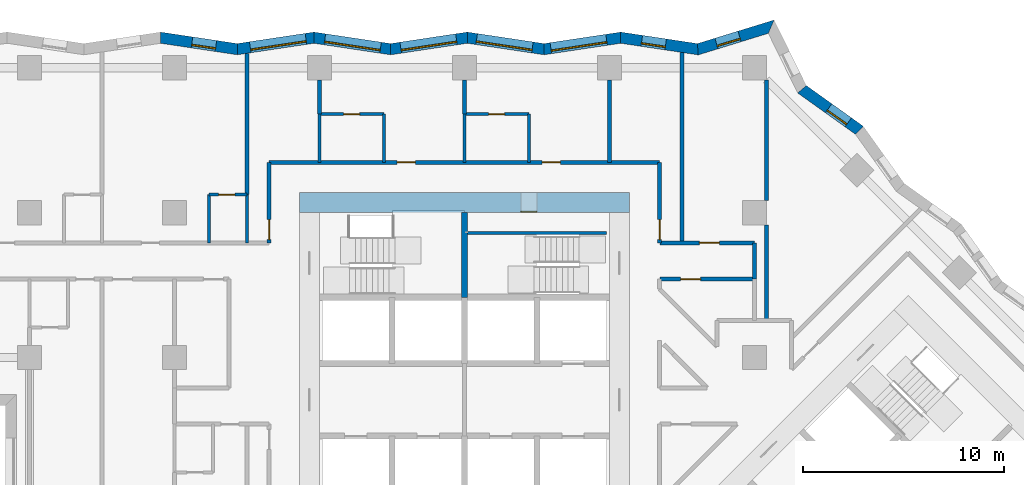
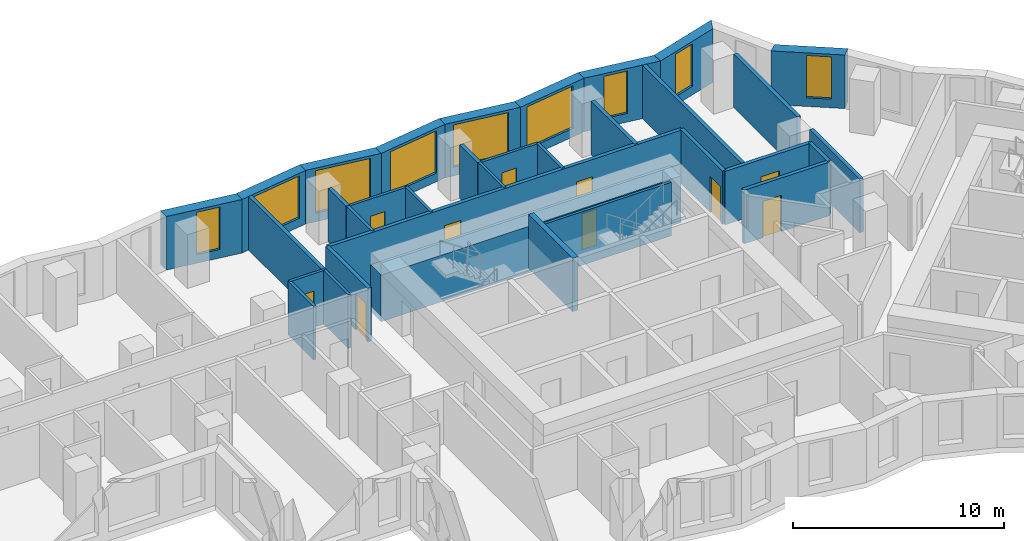
# One storey, part 6 of 12: 34 walls, 10 doors, 9 windows, 19 openings.
"""IFC4 building model written with IfcOpenShell, lengths in metres."""

from ifc_helpers import new_model, si_unit, direction, frame, frame_2d, origin, place, context, subcontext, project, spatial, polyline, rectangle, outline, extrude, material, layer, layer_set, type_object, element, fill, save


model = new_model("IFC4")

# Units and contexts
model_context = context("Model", 3, precision=1e-05, world=origin(), true_north=direction((0.0, 1.0)))
body_context = subcontext(model_context, "Body", "Model", "MODEL_VIEW")
ifc_project = project(units=[si_unit("LENGTHUNIT", "METRE"), si_unit("AREAUNIT", "SQUARE_METRE"), si_unit("VOLUMEUNIT", "CUBIC_METRE"), si_unit("PLANEANGLEUNIT", "RADIAN"), si_unit("MASSUNIT", "GRAM", prefix="KILO")], contexts=[model_context])

# Site, building, storey
site_placement = place(None, origin())
site = spatial("IfcSite", under=ifc_project, at=site_placement, CompositionType="ELEMENT")
building_placement = place(site_placement, origin())
building = spatial("IfcBuilding", under=site, at=building_placement, Name="Windrow Commons", CompositionType="ELEMENT")
storey_placement = place(building_placement, frame((0.0, 0.0, 57.6)))
storey = spatial("IfcBuildingStorey", under=building, at=storey_placement, Name="L15", CompositionType="ELEMENT", Elevation=57.6)

# Wall, opening, window
ifc_material_1 = material(Name="Brick masonry, red clay brick", Category="masonry")
ifc_layer_1 = layer(ifc_material_1, 0.55)
ifc_layer_set_1 = layer_set([ifc_layer_1], Name="Brick facade wall 550")
wall_type_1 = type_object("IfcWallType", Name="Brick facade wall 550", PredefinedType="SOLIDWALL", material=ifc_layer_set_1)
wall_1_placement = place(storey_placement, frame((84.421, 68.8908, 0.0), z_axis=(0.0, 0.0, 1.0), x_axis=(-0.8136140083, 0.5814054054, 0.0)))
wall_1 = element("IfcWall", 1, at=wall_1_placement, inside=storey, type_object=wall_type_1, Name="Brick facade wall L15 21", PredefinedType="SOLIDWALL", context=body_context, shape_type="SweptSolid", body=[
    extrude(outline(polyline([(-0.0458, -0.275), (3.4379, -0.275), (3.5765, 0.275), (0.0458, 0.275), (-0.0458, -0.275)])), origin(), (0.0, 0.0, 1.0), 3.1),
])
opening_1_placement = place(wall_1_placement, frame((0.6838, 0.0, 0.5)))
opening_1 = element("IfcOpeningElement", 2, at=opening_1_placement, cuts=wall_1, Name="Opening W7D", PredefinedType="OPENING", context=body_context, shape_type="SweptSolid", body=[
    extrude(rectangle(XDim=1.2, YDim=2.45, at=frame_2d((0.6, 1.225))), frame((0.0, 0.285, 0.0), z_axis=(0.0, -1.0, 0.0), x_axis=(1.0, 0.0, 0.0)), (0.0, 0.0, 1.0), 0.57),
])
ifc_material_2 = material(Name="Clear float glass in anodised aluminium frame", Category="aluminium")
window_type_1 = type_object("IfcWindowType", Name="Window W7 notch 1200x2450", PartitioningType="SINGLE_PANEL", PredefinedType="WINDOW", material=ifc_material_2)
window_1_placement = place(opening_1_placement, origin())
window_1 = element("IfcWindow", 3, at=window_1_placement, inside=storey, type_object=window_type_1, Name="Window L15 21.1", OverallHeight=2.45, OverallWidth=1.2, PartitioningType="SINGLE_PANEL", PredefinedType="WINDOW", context=body_context, shape_type="SweptSolid", body=[
    extrude(rectangle(XDim=1.2, YDim=2.45, at=frame_2d((0.6, 1.225))), frame((0.0, 0.155, 0.0), z_axis=(0.0, -1.0, 0.0), x_axis=(1.0, 0.0, 0.0)), (0.0, 0.0, 1.0), 0.06),
])
fill(opening_1, window_1)

wall_2_placement = place(storey_placement, frame((80.0392, 74.0402, 0.0), z_axis=(0.0, 0.0, 1.0), x_axis=(-0.9557960147, -0.2940305738, 0.0)))
wall_2 = element("IfcWall", 4, at=wall_2_placement, inside=storey, type_object=wall_type_1, Name="Brick facade wall L15 23", PredefinedType="SOLIDWALL", context=body_context, shape_type="SweptSolid", body=[
    extrude(outline(polyline([(-0.2346, -0.275), (3.7513, -0.275), (3.8764, 0.275), (0.2346, 0.275), (-0.2346, -0.275)])), origin(), (0.0, 0.0, 1.0), 3.1),
])
opening_2_placement = place(wall_2_placement, frame((1.6459, 0.0, 0.5)))
opening_2 = element("IfcOpeningElement", 5, at=opening_2_placement, cuts=wall_2, Name="Opening W7D", PredefinedType="OPENING", context=body_context, shape_type="SweptSolid", body=[
    extrude(rectangle(XDim=1.2, YDim=2.45, at=frame_2d((0.6, 1.225))), frame((0.0, 0.285, 0.0), z_axis=(0.0, -1.0, 0.0), x_axis=(1.0, 0.0, 0.0)), (0.0, 0.0, 1.0), 0.57),
])
window_2_placement = place(opening_2_placement, origin())
window_2 = element("IfcWindow", 6, at=window_2_placement, inside=storey, type_object=window_type_1, Name="Window L15 23.1", OverallHeight=2.45, OverallWidth=1.2, PartitioningType="SINGLE_PANEL", PredefinedType="WINDOW", context=body_context, shape_type="SweptSolid", body=[
    extrude(rectangle(XDim=1.2, YDim=2.45, at=frame_2d((0.6, 1.225))), frame((0.0, 0.155, 0.0), z_axis=(0.0, -1.0, 0.0), x_axis=(1.0, 0.0, 0.0)), (0.0, 0.0, 1.0), 0.06),
])
fill(opening_2, window_2)

wall_3_placement = place(storey_placement, frame((76.3939, 72.9188, 0.0), z_axis=(0.0, 0.0, 1.0), x_axis=(-0.9889175987, 0.1484654269, 0.0)))
wall_3 = element("IfcWall", 7, at=wall_3_placement, inside=storey, type_object=wall_type_1, Name="Brick facade wall L15 24", PredefinedType="SOLIDWALL", context=body_context, shape_type="SweptSolid", body=[
    extrude(outline(polyline([(0.0626, -0.275), (3.9149, -0.275), (3.8324, 0.275), (-0.0626, 0.275), (0.0626, -0.275)])), origin(), (0.0, 0.0, 1.0), 3.1),
])
opening_3_placement = place(wall_3_placement, frame((1.6176, 0.0, 0.5)))
opening_3 = element("IfcOpeningElement", 8, at=opening_3_placement, cuts=wall_3, Name="Opening W7D", PredefinedType="OPENING", context=body_context, shape_type="SweptSolid", body=[
    extrude(rectangle(XDim=1.2, YDim=2.45, at=frame_2d((0.6, 1.225))), frame((0.0, 0.285, 0.0), z_axis=(0.0, -1.0, 0.0), x_axis=(1.0, 0.0, 0.0)), (0.0, 0.0, 1.0), 0.57),
])
window_3_placement = place(opening_3_placement, origin())
window_3 = element("IfcWindow", 9, at=window_3_placement, inside=storey, type_object=window_type_1, Name="Window L15 24.1", OverallHeight=2.45, OverallWidth=1.2, PartitioningType="SINGLE_PANEL", PredefinedType="WINDOW", context=body_context, shape_type="SweptSolid", body=[
    extrude(rectangle(XDim=1.2, YDim=2.45, at=frame_2d((0.6, 1.225))), frame((0.0, 0.155, 0.0), z_axis=(0.0, -1.0, 0.0), x_axis=(1.0, 0.0, 0.0)), (0.0, 0.0, 1.0), 0.06),
])
fill(opening_3, window_3)

wall_4_placement = place(storey_placement, frame((72.5632, 73.4939, 0.0), z_axis=(0.0, 0.0, 1.0), x_axis=(-0.9889150173, -0.1484826202, 0.0)))
wall_4 = element("IfcWall", 10, at=wall_4_placement, inside=storey, type_object=wall_type_1, Name="Brick facade wall L15 25", PredefinedType="SOLIDWALL", context=body_context, shape_type="SweptSolid", body=[
    extrude(outline(polyline([(-0.0413, -0.275), (3.8111, -0.275), (3.8937, 0.275), (0.0413, 0.275), (-0.0413, -0.275)])), origin(), (0.0, 0.0, 1.0), 3.1),
])
opening_4_placement = place(wall_4_placement, frame((0.711, 0.0, 0.5)))
opening_4 = element("IfcOpeningElement", 11, at=opening_4_placement, cuts=wall_4, Name="Opening W1T", PredefinedType="OPENING", context=body_context, shape_type="SweptSolid", body=[
    extrude(rectangle(XDim=2.8, YDim=2.45, at=frame_2d((1.4, 1.225))), frame((0.0, 0.285, 0.0), z_axis=(0.0, -1.0, 0.0), x_axis=(1.0, 0.0, 0.0)), (0.0, 0.0, 1.0), 0.57),
])
ifc_material_3 = material(Name="Clear float glass in anodised aluminium frame", Category="aluminium")
window_type_2 = type_object("IfcWindowType", Name="Window W1T bedroom 2800x2450", PartitioningType="SINGLE_PANEL", PredefinedType="WINDOW", material=ifc_material_3)
window_4_placement = place(opening_4_placement, origin())
window_4 = element("IfcWindow", 12, at=window_4_placement, inside=storey, type_object=window_type_2, Name="Window L15 25.1", OverallHeight=2.45, OverallWidth=2.8, PartitioningType="SINGLE_PANEL", PredefinedType="WINDOW", context=body_context, shape_type="SweptSolid", body=[
    extrude(rectangle(XDim=2.8, YDim=2.45, at=frame_2d((1.4, 1.225))), frame((0.0, 0.155, 0.0), z_axis=(0.0, -1.0, 0.0), x_axis=(1.0, 0.0, 0.0)), (0.0, 0.0, 1.0), 0.06),
])
fill(opening_4, window_4)

wall_5_placement = place(storey_placement, frame((68.7536, 72.9219, 0.0), z_axis=(0.0, 0.0, 1.0), x_axis=(-0.9889155896, 0.1484788086, 0.0)))
wall_5 = element("IfcWall", 13, at=wall_5_placement, inside=storey, type_object=wall_type_1, Name="Brick facade wall L15 26", PredefinedType="SOLIDWALL", context=body_context, shape_type="SweptSolid", body=[
    extrude(outline(polyline([(0.0413, -0.275), (3.8937, -0.275), (3.8111, 0.275), (-0.0413, 0.275), (0.0413, -0.275)])), origin(), (0.0, 0.0, 1.0), 3.1),
])
opening_5_placement = place(wall_5_placement, frame((0.5843, 0.0, 0.5)))
opening_5 = element("IfcOpeningElement", 14, at=opening_5_placement, cuts=wall_5, Name="Opening W1T", PredefinedType="OPENING", context=body_context, shape_type="SweptSolid", body=[
    extrude(rectangle(XDim=2.8, YDim=2.45, at=frame_2d((1.4, 1.225))), frame((0.0, 0.285, 0.0), z_axis=(0.0, -1.0, 0.0), x_axis=(1.0, 0.0, 0.0)), (0.0, 0.0, 1.0), 0.57),
])
window_5_placement = place(opening_5_placement, origin())
window_5 = element("IfcWindow", 15, at=window_5_placement, inside=storey, type_object=window_type_2, Name="Window L15 26.1", OverallHeight=2.45, OverallWidth=2.8, PartitioningType="SINGLE_PANEL", PredefinedType="WINDOW", context=body_context, shape_type="SweptSolid", body=[
    extrude(rectangle(XDim=2.8, YDim=2.45, at=frame_2d((1.4, 1.225))), frame((0.0, 0.155, 0.0), z_axis=(0.0, -1.0, 0.0), x_axis=(1.0, 0.0, 0.0)), (0.0, 0.0, 1.0), 0.06),
])
fill(opening_5, window_5)

wall_6_placement = place(storey_placement, frame((64.9439, 73.4939, 0.0), z_axis=(0.0, 0.0, 1.0), x_axis=(-0.9889150173, -0.1484826202, 0.0)))
wall_6 = element("IfcWall", 16, at=wall_6_placement, inside=storey, type_object=wall_type_1, Name="Brick facade wall L15 27", PredefinedType="SOLIDWALL", context=body_context, shape_type="SweptSolid", body=[
    extrude(outline(polyline([(-0.0413, -0.275), (3.8111, -0.275), (3.8937, 0.275), (0.0413, 0.275), (-0.0413, -0.275)])), origin(), (0.0, 0.0, 1.0), 3.1),
])
opening_6_placement = place(wall_6_placement, frame((0.5468, 0.0, 0.5)))
opening_6 = element("IfcOpeningElement", 17, at=opening_6_placement, cuts=wall_6, Name="Opening W1T", PredefinedType="OPENING", context=body_context, shape_type="SweptSolid", body=[
    extrude(rectangle(XDim=2.8, YDim=2.45, at=frame_2d((1.4, 1.225))), frame((0.0, 0.285, 0.0), z_axis=(0.0, -1.0, 0.0), x_axis=(1.0, 0.0, 0.0)), (0.0, 0.0, 1.0), 0.57),
])
window_6_placement = place(opening_6_placement, origin())
window_6 = element("IfcWindow", 18, at=window_6_placement, inside=storey, type_object=window_type_2, Name="Window L15 27.1", OverallHeight=2.45, OverallWidth=2.8, PartitioningType="SINGLE_PANEL", PredefinedType="WINDOW", context=body_context, shape_type="SweptSolid", body=[
    extrude(rectangle(XDim=2.8, YDim=2.45, at=frame_2d((1.4, 1.225))), frame((0.0, 0.155, 0.0), z_axis=(0.0, -1.0, 0.0), x_axis=(1.0, 0.0, 0.0)), (0.0, 0.0, 1.0), 0.06),
])
fill(opening_6, window_6)

wall_7_placement = place(storey_placement, frame((61.1343, 72.9219, 0.0), z_axis=(0.0, 0.0, 1.0), x_axis=(-0.9889155896, 0.1484788086, 0.0)))
wall_7 = element("IfcWall", 19, at=wall_7_placement, inside=storey, type_object=wall_type_1, Name="Brick facade wall L15 28", PredefinedType="SOLIDWALL", context=body_context, shape_type="SweptSolid", body=[
    extrude(outline(polyline([(0.0413, -0.275), (3.8937, -0.275), (3.8111, 0.275), (-0.0413, 0.275), (0.0413, -0.275)])), origin(), (0.0, 0.0, 1.0), 3.1),
])
opening_7_placement = place(wall_7_placement, frame((0.5055, 0.0, 0.5)))
opening_7 = element("IfcOpeningElement", 20, at=opening_7_placement, cuts=wall_7, Name="Opening W1T", PredefinedType="OPENING", context=body_context, shape_type="SweptSolid", body=[
    extrude(rectangle(XDim=2.8, YDim=2.45, at=frame_2d((1.4, 1.225))), frame((0.0, 0.285, 0.0), z_axis=(0.0, -1.0, 0.0), x_axis=(1.0, 0.0, 0.0)), (0.0, 0.0, 1.0), 0.57),
])
window_7_placement = place(opening_7_placement, origin())
window_7 = element("IfcWindow", 21, at=window_7_placement, inside=storey, type_object=window_type_2, Name="Window L15 28.1", OverallHeight=2.45, OverallWidth=2.8, PartitioningType="SINGLE_PANEL", PredefinedType="WINDOW", context=body_context, shape_type="SweptSolid", body=[
    extrude(rectangle(XDim=2.8, YDim=2.45, at=frame_2d((1.4, 1.225))), frame((0.0, 0.155, 0.0), z_axis=(0.0, -1.0, 0.0), x_axis=(1.0, 0.0, 0.0)), (0.0, 0.0, 1.0), 0.06),
])
fill(opening_7, window_7)

wall_8_placement = place(storey_placement, frame((57.3246, 73.4939, 0.0), z_axis=(0.0, 0.0, 1.0), x_axis=(-0.9889155896, -0.1484788086, 0.0)))
wall_8 = element("IfcWall", 22, at=wall_8_placement, inside=storey, type_object=wall_type_1, Name="Brick facade wall L15 29", PredefinedType="SOLIDWALL", context=body_context, shape_type="SweptSolid", body=[
    extrude(outline(polyline([(-0.0413, -0.275), (3.8111, -0.275), (3.8937, 0.275), (0.0413, 0.275), (-0.0413, -0.275)])), origin(), (0.0, 0.0, 1.0), 3.1),
])
opening_8_placement = place(wall_8_placement, frame((0.4016, 0.0, 0.5)))
opening_8 = element("IfcOpeningElement", 23, at=opening_8_placement, cuts=wall_8, Name="Opening W1T", PredefinedType="OPENING", context=body_context, shape_type="SweptSolid", body=[
    extrude(rectangle(XDim=2.8, YDim=2.45, at=frame_2d((1.4, 1.225))), frame((0.0, 0.285, 0.0), z_axis=(0.0, -1.0, 0.0), x_axis=(1.0, 0.0, 0.0)), (0.0, 0.0, 1.0), 0.57),
])
window_8_placement = place(opening_8_placement, origin())
window_8 = element("IfcWindow", 24, at=window_8_placement, inside=storey, type_object=window_type_2, Name="Window L15 29.1", OverallHeight=2.45, OverallWidth=2.8, PartitioningType="SINGLE_PANEL", PredefinedType="WINDOW", context=body_context, shape_type="SweptSolid", body=[
    extrude(rectangle(XDim=2.8, YDim=2.45, at=frame_2d((1.4, 1.225))), frame((0.0, 0.155, 0.0), z_axis=(0.0, -1.0, 0.0), x_axis=(1.0, 0.0, 0.0)), (0.0, 0.0, 1.0), 0.06),
])
fill(opening_8, window_8)

wall_9_placement = place(storey_placement, frame((53.5149, 72.9219, 0.0), z_axis=(0.0, 0.0, 1.0), x_axis=(-0.9889150173, 0.1484826202, 0.0)))
wall_9 = element("IfcWall", 25, at=wall_9_placement, inside=storey, type_object=wall_type_1, Name="Brick facade wall L15 30", PredefinedType="SOLIDWALL", context=body_context, shape_type="SweptSolid", body=[
    extrude(outline(polyline([(0.0413, -0.275), (3.8937, -0.275), (3.8111, 0.275), (-0.0413, 0.275), (0.0413, -0.275)])), origin(), (0.0, 0.0, 1.0), 3.1),
])
opening_9_placement = place(wall_9_placement, frame((1.0749, 0.0, 0.5)))
opening_9 = element("IfcOpeningElement", 26, at=opening_9_placement, cuts=wall_9, Name="Opening W7D", PredefinedType="OPENING", context=body_context, shape_type="SweptSolid", body=[
    extrude(rectangle(XDim=1.2, YDim=2.45, at=frame_2d((0.6, 1.225))), frame((0.0, 0.285, 0.0), z_axis=(0.0, -1.0, 0.0), x_axis=(1.0, 0.0, 0.0)), (0.0, 0.0, 1.0), 0.57),
])
window_9_placement = place(opening_9_placement, origin())
window_9 = element("IfcWindow", 27, at=window_9_placement, inside=storey, type_object=window_type_1, Name="Window L15 30.1", OverallHeight=2.45, OverallWidth=1.2, PartitioningType="SINGLE_PANEL", PredefinedType="WINDOW", context=body_context, shape_type="SweptSolid", body=[
    extrude(rectangle(XDim=1.2, YDim=2.45, at=frame_2d((0.6, 1.225))), frame((0.0, 0.155, 0.0), z_axis=(0.0, -1.0, 0.0), x_axis=(1.0, 0.0, 0.0)), (0.0, 0.0, 1.0), 0.06),
])
fill(opening_9, window_9)

# Wall, openings, doors
ifc_material_4 = material(Name="Blockwork partition", Category="masonry")
ifc_layer_2 = layer(ifc_material_4, 0.2)
ifc_layer_set_2 = layer_set([ifc_layer_2], Name="IW-CORRIDOR-200")
wall_type_2 = type_object("IfcWallType", Name="IW-CORRIDOR-200", PredefinedType="PARTITIONING", material=ifc_layer_set_2)
wall_10_placement = place(storey_placement, frame((55.1, 67.3, 0.0), z_axis=(0.0, 0.0, 1.0), x_axis=(1.0, 0.0, 0.0)))
wall_10 = element("IfcWall", 28, at=wall_10_placement, inside=storey, type_object=wall_type_2, Name="W-L15-W002", PredefinedType="PARTITIONING", context=body_context, shape_type="SweptSolid", body=[
    extrude(rectangle(XDim=19.4, YDim=0.2, at=frame_2d((9.7, 0.0))), origin(), (0.0, 0.0, 1.0), 3.1),
])
opening_10_placement = place(wall_10_placement, frame((6.3607, 0.0, 0.0)))
opening_10 = element("IfcOpeningElement", 29, at=opening_10_placement, cuts=wall_10, Name="Opening D109F", PredefinedType="OPENING", context=body_context, shape_type="SweptSolid", body=[
    extrude(rectangle(XDim=0.9, YDim=2.1, at=frame_2d((0.45, 1.05))), frame((0.0, 0.11, 0.0), z_axis=(0.0, -1.0, 0.0), x_axis=(1.0, 0.0, 0.0)), (0.0, 0.0, 1.0), 0.22),
])
opening_11_placement = place(wall_10_placement, frame((13.5607, 0.0, 0.0)))
opening_11 = element("IfcOpeningElement", 30, at=opening_11_placement, cuts=wall_10, Name="Opening D109F", PredefinedType="OPENING", context=body_context, shape_type="SweptSolid", body=[
    extrude(rectangle(XDim=0.9, YDim=2.1, at=frame_2d((0.45, 1.05))), frame((0.0, 0.11, 0.0), z_axis=(0.0, -1.0, 0.0), x_axis=(1.0, 0.0, 0.0)), (0.0, 0.0, 1.0), 0.22),
])
ifc_material_5 = material(Name="Timber door leaf", Category="wood")
door_type_1 = type_object("IfcDoorType", Name="DT-BEDROOM-900", OperationType="SINGLE_SWING_LEFT", PredefinedType="DOOR", material=ifc_material_5)
door_1_placement = place(opening_10_placement, origin())
door_1 = element("IfcDoor", 31, at=door_1_placement, inside=storey, type_object=door_type_1, Name="D-L15-D025", OperationType="SINGLE_SWING_RIGHT", OverallHeight=2.1, OverallWidth=0.9, PredefinedType="DOOR", context=body_context, shape_type="SweptSolid", body=[
    extrude(rectangle(XDim=0.9, YDim=2.1, at=frame_2d((0.45, 1.05))), frame((0.0, 0.025, 0.0), z_axis=(0.0, -1.0, 0.0), x_axis=(1.0, 0.0, 0.0)), (0.0, 0.0, 1.0), 0.05),
])
fill(opening_10, door_1)
door_2_placement = place(opening_11_placement, origin())
door_2 = element("IfcDoor", 32, at=door_2_placement, inside=storey, type_object=door_type_1, Name="D-L15-D027", OperationType="SINGLE_SWING_RIGHT", OverallHeight=2.1, OverallWidth=0.9, PredefinedType="DOOR", context=body_context, shape_type="SweptSolid", body=[
    extrude(rectangle(XDim=0.9, YDim=2.1, at=frame_2d((0.45, 1.05))), frame((0.0, 0.025, 0.0), z_axis=(0.0, -1.0, 0.0), x_axis=(1.0, 0.0, 0.0)), (0.0, 0.0, 1.0), 0.05),
])
fill(opening_11, door_2)

# Wall, opening, door
wall_11_placement = place(storey_placement, frame((74.502, 63.3, 0.0), z_axis=(0.0, 0.0, 1.0), x_axis=(1.0, 0.0, 0.0)))
wall_11 = element("IfcWall", 33, at=wall_11_placement, inside=storey, type_object=wall_type_2, Name="W-L15-W041", PredefinedType="PARTITIONING", context=body_context, shape_type="SweptSolid", body=[
    extrude(rectangle(XDim=4.698, YDim=0.2, at=frame_2d((2.349, 0.0))), origin(), (0.0, 0.0, 1.0), 3.1),
])
opening_12_placement = place(wall_11_placement, frame((1.9629, 0.0, 0.0)))
opening_12 = element("IfcOpeningElement", 34, at=opening_12_placement, cuts=wall_11, Name="Opening D310F", PredefinedType="OPENING", context=body_context, shape_type="SweptSolid", body=[
    extrude(rectangle(XDim=1.0, YDim=2.1, at=frame_2d((0.5, 1.05))), frame((0.0, 0.11, 0.0), z_axis=(0.0, -1.0, 0.0), x_axis=(1.0, 0.0, 0.0)), (0.0, 0.0, 1.0), 0.22),
])
ifc_material_6 = material(Name="Timber door leaf", Category="wood")
door_type_2 = type_object("IfcDoorType", Name="DT-AMENITY-1000", OperationType="SINGLE_SWING_LEFT", PredefinedType="DOOR", material=ifc_material_6)
door_3_placement = place(opening_12_placement, origin())
door_3 = element("IfcDoor", 35, at=door_3_placement, inside=storey, type_object=door_type_2, Name="D-L15-D034", OperationType="SINGLE_SWING_LEFT", OverallHeight=2.1, OverallWidth=1.0, PredefinedType="DOOR", context=body_context, shape_type="SweptSolid", body=[
    extrude(rectangle(XDim=1.0, YDim=2.1, at=frame_2d((0.5, 1.05))), frame((0.0, 0.025, 0.0), z_axis=(0.0, -1.0, 0.0), x_axis=(1.0, 0.0, 0.0)), (0.0, 0.0, 1.0), 0.05),
])
fill(opening_12, door_3)

wall_12_placement = place(storey_placement, frame((74.502, 61.5, 0.0), z_axis=(0.0, 0.0, 1.0), x_axis=(1.0, 0.0, 0.0)))
wall_12 = element("IfcWall", 36, at=wall_12_placement, inside=storey, type_object=wall_type_2, Name="W-L15-W042", PredefinedType="PARTITIONING", context=body_context, shape_type="SweptSolid", body=[
    extrude(rectangle(XDim=4.698, YDim=0.2, at=frame_2d((2.349, 0.0))), origin(), (0.0, 0.0, 1.0), 3.1),
])
opening_13_placement = place(wall_12_placement, frame((1.0335, 0.0, 0.0)))
opening_13 = element("IfcOpeningElement", 37, at=opening_13_placement, cuts=wall_12, Name="Opening D410F", PredefinedType="OPENING", context=body_context, shape_type="SweptSolid", body=[
    extrude(rectangle(XDim=1.0, YDim=2.1, at=frame_2d((0.5, 1.05))), frame((0.0, 0.11, 0.0), z_axis=(0.0, -1.0, 0.0), x_axis=(1.0, 0.0, 0.0)), (0.0, 0.0, 1.0), 0.22),
])
ifc_material_7 = material(Name="Timber door leaf", Category="wood")
door_type_3 = type_object("IfcDoorType", Name="DT-SERVICE-1000", OperationType="SINGLE_SWING_LEFT", PredefinedType="DOOR", material=ifc_material_7)
door_4_placement = place(opening_13_placement, origin())
door_4 = element("IfcDoor", 38, at=door_4_placement, inside=storey, type_object=door_type_3, Name="D-L15-D035", OperationType="SINGLE_SWING_RIGHT", OverallHeight=2.1, OverallWidth=1.0, PredefinedType="DOOR", context=body_context, shape_type="SweptSolid", body=[
    extrude(rectangle(XDim=1.0, YDim=2.1, at=frame_2d((0.5, 1.05))), frame((0.0, 0.025, 0.0), z_axis=(0.0, -1.0, 0.0), x_axis=(1.0, 0.0, 0.0)), (0.0, 0.0, 1.0), 0.05),
])
fill(opening_13, door_4)

wall_13_placement = place(storey_placement, frame((55.1, 63.302, 0.0), z_axis=(0.0, 0.0, 1.0), x_axis=(0.0, 1.0, 0.0)))
wall_13 = element("IfcWall", 39, at=wall_13_placement, inside=storey, type_object=wall_type_2, Name="W-L15-W049", PredefinedType="PARTITIONING", context=body_context, shape_type="SweptSolid", body=[
    extrude(rectangle(XDim=3.998, YDim=0.2, at=frame_2d((1.999, 0.0))), origin(), (0.0, 0.0, 1.0), 3.1),
])
opening_14_placement = place(wall_13_placement, frame((0.1545, 0.0, 0.0)))
opening_14 = element("IfcOpeningElement", 40, at=opening_14_placement, cuts=wall_13, Name="Opening D310F", PredefinedType="OPENING", context=body_context, shape_type="SweptSolid", body=[
    extrude(rectangle(XDim=1.0, YDim=2.1, at=frame_2d((0.5, 1.05))), frame((0.0, 0.11, 0.0), z_axis=(0.0, -1.0, 0.0), x_axis=(1.0, 0.0, 0.0)), (0.0, 0.0, 1.0), 0.22),
])
door_5_placement = place(opening_14_placement, origin())
door_5 = element("IfcDoor", 41, at=door_5_placement, inside=storey, type_object=door_type_2, Name="D-L15-D015", OperationType="SINGLE_SWING_LEFT", OverallHeight=2.1, OverallWidth=1.0, PredefinedType="DOOR", context=body_context, shape_type="SweptSolid", body=[
    extrude(rectangle(XDim=1.0, YDim=2.1, at=frame_2d((0.5, 1.05))), frame((0.0, 0.025, 0.0), z_axis=(0.0, -1.0, 0.0), x_axis=(1.0, 0.0, 0.0)), (0.0, 0.0, 1.0), 0.05),
])
fill(opening_14, door_5)

wall_14_placement = place(storey_placement, frame((74.5, 63.302, 0.0), z_axis=(0.0, 0.0, 1.0), x_axis=(0.0, 1.0, 0.0)))
wall_14 = element("IfcWall", 42, at=wall_14_placement, inside=storey, type_object=wall_type_2, Name="W-L15-W050", PredefinedType="PARTITIONING", context=body_context, shape_type="SweptSolid", body=[
    extrude(rectangle(XDim=3.998, YDim=0.2, at=frame_2d((1.999, 0.0))), origin(), (0.0, 0.0, 1.0), 3.1),
])
opening_15_placement = place(wall_14_placement, frame((0.1545, 0.0, 0.0)))
opening_15 = element("IfcOpeningElement", 43, at=opening_15_placement, cuts=wall_14, Name="Opening D310F", PredefinedType="OPENING", context=body_context, shape_type="SweptSolid", body=[
    extrude(rectangle(XDim=1.0, YDim=2.1, at=frame_2d((0.5, 1.05))), frame((0.0, 0.11, 0.0), z_axis=(0.0, -1.0, 0.0), x_axis=(1.0, 0.0, 0.0)), (0.0, 0.0, 1.0), 0.22),
])
door_6_placement = place(opening_15_placement, origin())
door_6 = element("IfcDoor", 44, at=door_6_placement, inside=storey, type_object=door_type_2, Name="D-L15-D016", OperationType="SINGLE_SWING_RIGHT", OverallHeight=2.1, OverallWidth=1.0, PredefinedType="DOOR", context=body_context, shape_type="SweptSolid", body=[
    extrude(rectangle(XDim=1.0, YDim=2.1, at=frame_2d((0.5, 1.05))), frame((0.0, 0.025, 0.0), z_axis=(0.0, -1.0, 0.0), x_axis=(1.0, 0.0, 0.0)), (0.0, 0.0, 1.0), 0.05),
])
fill(opening_15, door_6)

# Wall
wall_15_placement = place(storey_placement, frame((79.2, 61.5, 0.0), z_axis=(0.0, 0.0, 1.0), x_axis=(0.0, 1.0, 0.0)))
element("IfcWall", 45, at=wall_15_placement, inside=storey, type_object=wall_type_2, Name="W-L15-W134", PredefinedType="PARTITIONING", context=body_context, shape_type="SweptSolid", body=[
    extrude(rectangle(XDim=1.8, YDim=0.2, at=frame_2d((0.9, 0.0))), origin(), (0.0, 0.0, 1.0), 3.1),
])

# Wall, opening, door
ifc_material_8 = material(Name="Blockwork partition", Category="masonry")
ifc_layer_3 = layer(ifc_material_8, 0.15)
ifc_layer_set_3 = layer_set([ifc_layer_3], Name="IW-ENSUITE-150")
wall_type_3 = type_object("IfcWallType", Name="IW-ENSUITE-150", PredefinedType="PARTITIONING", material=ifc_layer_set_3)
wall_16_placement = place(storey_placement, frame((64.8, 69.7, 0.0), z_axis=(0.0, 0.0, 1.0), x_axis=(1.0, 0.0, 0.0)))
wall_16 = element("IfcWall", 46, at=wall_16_placement, inside=storey, type_object=wall_type_3, Name="W-L15-W060", PredefinedType="PARTITIONING", context=body_context, shape_type="SweptSolid", body=[
    extrude(rectangle(XDim=3.2, YDim=0.15, at=frame_2d((1.6, 0.0))), origin(), (0.0, 0.0, 1.0), 3.1),
])
opening_16_placement = place(wall_16_placement, frame((1.1958, 0.0, 0.0)))
opening_16 = element("IfcOpeningElement", 47, at=opening_16_placement, cuts=wall_16, Name="Opening D208N", PredefinedType="OPENING", context=body_context, shape_type="SweptSolid", body=[
    extrude(rectangle(XDim=0.8, YDim=2.1, at=frame_2d((0.4, 1.05))), frame((0.0, 0.085, 0.0), z_axis=(0.0, -1.0, 0.0), x_axis=(1.0, 0.0, 0.0)), (0.0, 0.0, 1.0), 0.17),
])
ifc_material_9 = material(Name="Timber door leaf", Category="wood")
door_type_4 = type_object("IfcDoorType", Name="DT-ENSUITE-800", OperationType="SINGLE_SWING_LEFT", PredefinedType="DOOR", material=ifc_material_9)
door_7_placement = place(opening_16_placement, origin())
door_7 = element("IfcDoor", 48, at=door_7_placement, inside=storey, type_object=door_type_4, Name="D-L15-D028", OperationType="SINGLE_SWING_RIGHT", OverallHeight=2.1, OverallWidth=0.8, PredefinedType="DOOR", context=body_context, shape_type="SweptSolid", body=[
    extrude(rectangle(XDim=0.8, YDim=2.1, at=frame_2d((0.4, 1.05))), frame((0.0, 0.025, 0.0), z_axis=(0.0, -1.0, 0.0), x_axis=(1.0, 0.0, 0.0)), (0.0, 0.0, 1.0), 0.05),
])
fill(opening_16, door_7)

wall_17_placement = place(storey_placement, frame((57.6, 69.7, 0.0), z_axis=(0.0, 0.0, 1.0), x_axis=(1.0, 0.0, 0.0)))
wall_17 = element("IfcWall", 49, at=wall_17_placement, inside=storey, type_object=wall_type_3, Name="W-L15-W062", PredefinedType="PARTITIONING", context=body_context, shape_type="SweptSolid", body=[
    extrude(rectangle(XDim=3.2, YDim=0.15, at=frame_2d((1.6, 0.0))), origin(), (0.0, 0.0, 1.0), 3.1),
])
opening_17_placement = place(wall_17_placement, frame((1.1958, 0.0, 0.0)))
opening_17 = element("IfcOpeningElement", 50, at=opening_17_placement, cuts=wall_17, Name="Opening D208N", PredefinedType="OPENING", context=body_context, shape_type="SweptSolid", body=[
    extrude(rectangle(XDim=0.8, YDim=2.1, at=frame_2d((0.4, 1.05))), frame((0.0, 0.085, 0.0), z_axis=(0.0, -1.0, 0.0), x_axis=(1.0, 0.0, 0.0)), (0.0, 0.0, 1.0), 0.17),
])
door_8_placement = place(opening_17_placement, origin())
door_8 = element("IfcDoor", 51, at=door_8_placement, inside=storey, type_object=door_type_4, Name="D-L15-D026", OperationType="SINGLE_SWING_RIGHT", OverallHeight=2.1, OverallWidth=0.8, PredefinedType="DOOR", context=body_context, shape_type="SweptSolid", body=[
    extrude(rectangle(XDim=0.8, YDim=2.1, at=frame_2d((0.4, 1.05))), frame((0.0, 0.025, 0.0), z_axis=(0.0, -1.0, 0.0), x_axis=(1.0, 0.0, 0.0)), (0.0, 0.0, 1.0), 0.05),
])
fill(opening_17, door_8)

# Walls
for number, where, z_axis, x_axis, name in (
    (52, (52.1, 63.3, 0.0), (0.0, 0.0, 1.0), (0.0, 1.0, 0.0), "W-L15-W078"),
    (53, (54.0, 63.3, 0.0), (0.0, 0.0, 1.0), (0.0, 1.0, 0.0), "W-L15-W079"),
    (54, (57.6, 67.3, 0.0), (0.0, 0.0, 1.0), (0.0, 1.0, 0.0), "W-L15-W080"),
    (55, (60.8, 67.3, 0.0), (0.0, 0.0, 1.0), (0.0, 1.0, 0.0), "W-L15-W081"),
    (56, (68.0, 67.3, 0.0), (0.0, 0.0, 1.0), (0.0, 1.0, 0.0), "W-L15-W082"),
    (57, (64.8, 67.3, 0.0), (0.0, 0.0, 1.0), (0.0, 1.0, 0.0), "W-L15-W083"),
):
    element("IfcWall", number, at=place(storey_placement, frame(where, z_axis=z_axis, x_axis=x_axis)), inside=storey, type_object=wall_type_3, Name=name, PredefinedType="PARTITIONING", context=body_context, shape_type="SweptSolid", body=[
        extrude(rectangle(XDim=2.4, YDim=0.15, at=frame_2d((1.2, 0.0))), origin(), (0.0, 0.0, 1.0), 3.1),
    ])

# Wall, opening, door
wall_18_placement = place(storey_placement, frame((52.1, 65.7, 0.0), z_axis=(0.0, 0.0, 1.0), x_axis=(1.0, 0.0, 0.0)))
wall_18 = element("IfcWall", 58, at=wall_18_placement, inside=storey, type_object=wall_type_3, Name="W-L15-W122", PredefinedType="PARTITIONING", context=body_context, shape_type="SweptSolid", body=[
    extrude(rectangle(XDim=1.9, YDim=0.15, at=frame_2d((0.95, 0.0))), origin(), (0.0, 0.0, 1.0), 3.1),
])
opening_18_placement = place(wall_18_placement, frame((0.4931, 0.0, 0.0)))
opening_18 = element("IfcOpeningElement", 59, at=opening_18_placement, cuts=wall_18, Name="Opening D208N", PredefinedType="OPENING", context=body_context, shape_type="SweptSolid", body=[
    extrude(rectangle(XDim=0.8, YDim=2.1, at=frame_2d((0.4, 1.05))), frame((0.0, 0.085, 0.0), z_axis=(0.0, -1.0, 0.0), x_axis=(1.0, 0.0, 0.0)), (0.0, 0.0, 1.0), 0.17),
])
door_9_placement = place(opening_18_placement, origin())
door_9 = element("IfcDoor", 60, at=door_9_placement, inside=storey, type_object=door_type_4, Name="D-L15-D014", OperationType="SINGLE_SWING_RIGHT", OverallHeight=2.1, OverallWidth=0.8, PredefinedType="DOOR", context=body_context, shape_type="SweptSolid", body=[
    extrude(rectangle(XDim=0.8, YDim=2.1, at=frame_2d((0.4, 1.05))), frame((0.0, 0.025, 0.0), z_axis=(0.0, -1.0, 0.0), x_axis=(1.0, 0.0, 0.0)), (0.0, 0.0, 1.0), 0.05),
])
fill(opening_18, door_9)

# Walls
ifc_material_10 = material(Name="Blockwork partition", Category="masonry")
ifc_layer_4 = layer(ifc_material_10, 0.2)
ifc_layer_set_4 = layer_set([ifc_layer_4], Name="IW-PARTY-200")
wall_type_4 = type_object("IfcWallType", Name="IW-PARTY-200", PredefinedType="PARTITIONING", material=ifc_layer_set_4)
wall_19_placement = place(storey_placement, frame((75.6, 63.3, 0.0), z_axis=(0.0, 0.0, 1.0), x_axis=(0.0, 1.0, 0.0)))
element("IfcWall", 61, at=wall_19_placement, inside=storey, type_object=wall_type_4, Name="W-L15-W014", PredefinedType="PARTITIONING", context=body_context, shape_type="SweptSolid", body=[
    extrude(rectangle(XDim=9.4599, YDim=0.2, at=frame_2d((4.7299, 0.0))), origin(), (0.0, 0.0, 1.0), 3.1),
])
wall_20_placement = place(storey_placement, frame((54.0, 65.7, 0.0), z_axis=(0.0, 0.0, 1.0), x_axis=(0.0, 1.0, 0.0)))
element("IfcWall", 62, at=wall_20_placement, inside=storey, type_object=wall_type_4, Name="W-L15-W024", PredefinedType="PARTITIONING", context=body_context, shape_type="SweptSolid", body=[
    extrude(rectangle(XDim=7.0167, YDim=0.2, at=frame_2d((3.5084, 0.0))), origin(), (0.0, 0.0, 1.0), 3.1),
])
wall_21_placement = place(storey_placement, frame((79.8, 65.4, 0.0), z_axis=(0.0, 0.0, 1.0), x_axis=(0.0, 1.0, 0.0)))
element("IfcWall", 63, at=wall_21_placement, inside=storey, type_object=wall_type_4, Name="W-L15-W030", PredefinedType="PARTITIONING", context=body_context, shape_type="SweptSolid", body=[
    extrude(rectangle(XDim=6.0, YDim=0.2, at=frame_2d((3.0, 0.0))), origin(), (0.0, 0.0, 1.0), 3.1),
])
wall_22_placement = place(storey_placement, frame((79.8, 59.45, 0.0), z_axis=(0.0, 0.0, 1.0), x_axis=(0.0, 1.0, 0.0)))
element("IfcWall", 64, at=wall_22_placement, inside=storey, type_object=wall_type_4, Name="W-L15-W038", PredefinedType="PARTITIONING", context=body_context, shape_type="SweptSolid", body=[
    extrude(rectangle(XDim=4.75, YDim=0.2, at=frame_2d((2.375, 0.0))), origin(), (0.0, 0.0, 1.0), 3.1),
])
wall_23_placement = place(storey_placement, frame((72.0, 67.3, 0.0), z_axis=(0.0, 0.0, 1.0), x_axis=(0.0, 1.0, 0.0)))
element("IfcWall", 65, at=wall_23_placement, inside=storey, type_object=wall_type_4, Name="W-L15-W046", PredefinedType="PARTITIONING", context=body_context, shape_type="SweptSolid", body=[
    extrude(rectangle(XDim=4.1, YDim=0.2, at=frame_2d((2.05, 0.0))), origin(), (0.0, 0.0, 1.0), 3.1),
])
for number, where, z_axis, x_axis, name in (
    (66, (57.6, 69.7, 0.0), (0.0, 0.0, 1.0), (0.0, 1.0, 0.0), "W-L15-W137"),
    (67, (64.8, 69.7, 0.0), (0.0, 0.0, 1.0), (0.0, 1.0, 0.0), "W-L15-W139"),
):
    element("IfcWall", number, at=place(storey_placement, frame(where, z_axis=z_axis, x_axis=x_axis)), inside=storey, type_object=wall_type_4, Name=name, PredefinedType="PARTITIONING", context=body_context, shape_type="SweptSolid", body=[
        extrude(rectangle(XDim=1.7, YDim=0.2, at=frame_2d((0.85, 0.0))), origin(), (0.0, 0.0, 1.0), 3.1),
    ])

# Wall, opening, door
ifc_material_11 = material(Name="Concrete C60/75", Category="concrete")
ifc_layer_5 = layer(ifc_material_11, 1.0)
ifc_layer_set_5 = layer_set([ifc_layer_5], Name="RC CORE WALL 1000 C60/75")
wall_type_5 = type_object("IfcWallType", Name="RC CORE WALL 1000 C60/75", PredefinedType="SHEAR", material=ifc_layer_set_5)
wall_24_placement = place(storey_placement, frame((56.6, 65.3, -0.3), z_axis=(0.0, 0.0, 1.0), x_axis=(1.0, 0.0, 0.0)))
wall_24 = element("IfcWall", 68, at=wall_24_placement, inside=storey, type_object=wall_type_5, Name="Core A wall outer-N", PredefinedType="SHEAR", context=body_context, shape_type="SweptSolid", body=[
    extrude(rectangle(XDim=16.4, YDim=1.0, at=frame_2d((8.2, 0.0))), origin(), (0.0, 0.0, 1.0), 2.7),
])
opening_19_placement = place(wall_24_placement, frame((11.0, 0.0, 0.3)))
opening_19 = element("IfcOpeningElement", 69, at=opening_19_placement, cuts=wall_24, Name="Opening D9", PredefinedType="OPENING", context=body_context, shape_type="SweptSolid", body=[
    extrude(rectangle(XDim=0.8, YDim=2.1, at=frame_2d((0.4, 1.05))), frame((0.0, 0.51, 0.0), z_axis=(0.0, -1.0, 0.0), x_axis=(1.0, 0.0, 0.0)), (0.0, 0.0, 1.0), 1.02),
])
ifc_material_12 = material(Name="Steel fire door leaf", Category="steel")
door_type_5 = type_object("IfcDoorType", Name="Riser access door 800", OperationType="SINGLE_SWING_LEFT", PredefinedType="DOOR", material=ifc_material_12)
door_10_placement = place(opening_19_placement, origin())
door_10 = element("IfcDoor", 70, at=door_10_placement, inside=storey, type_object=door_type_5, Name="Riser access door", OperationType="SINGLE_SWING_RIGHT", OverallHeight=2.1, OverallWidth=0.8, PredefinedType="DOOR", context=body_context, shape_type="SweptSolid", body=[
    extrude(rectangle(XDim=0.8, YDim=2.1, at=frame_2d((0.4, 1.05))), frame((0.0, -0.44, 0.0), z_axis=(0.0, -1.0, 0.0), x_axis=(1.0, 0.0, 0.0)), (0.0, 0.0, 1.0), 0.05),
])
fill(opening_19, door_10)

# Walls
ifc_material_13 = material(Name="Concrete C60/75", Category="concrete")
ifc_layer_6 = layer(ifc_material_13, 0.3)
ifc_layer_set_6 = layer_set([ifc_layer_6], Name="RC SHAFT WALL 300 C60/75")
wall_type_6 = type_object("IfcWallType", Name="RC SHAFT WALL 300 C60/75", PredefinedType="SOLIDWALL", material=ifc_layer_set_6)
wall_25_placement = place(storey_placement, frame((64.8, 60.6, 0.0), z_axis=(0.0, 0.0, 1.0), x_axis=(0.0, 1.0, 0.0)))
element("IfcWall", 71, at=wall_25_placement, inside=storey, type_object=wall_type_6, Name="Core A wall stair-mid", PredefinedType="SOLIDWALL", context=body_context, shape_type="SweptSolid", body=[
    extrude(rectangle(XDim=4.2, YDim=0.3, at=frame_2d((2.1, 0.0))), origin(), (0.0, 0.0, 1.0), 3.1),
])
ifc_material_14 = material(Name="Blockwork partition", Category="masonry")
ifc_layer_7 = layer(ifc_material_14, 0.15)
ifc_layer_set_7 = layer_set([ifc_layer_7], Name="Riser partition 150")
wall_type_7 = type_object("IfcWallType", Name="Riser partition 150", PredefinedType="PARTITIONING", material=ifc_layer_set_7)
wall_26_placement = place(storey_placement, frame((64.95, 63.78, 0.0), z_axis=(0.0, 0.0, 1.0), x_axis=(1.0, 0.0, 0.0)))
element("IfcWall", 72, at=wall_26_placement, inside=storey, type_object=wall_type_7, Name="W-core-strip-A-L15", PredefinedType="PARTITIONING", context=body_context, shape_type="SweptSolid", body=[
    extrude(rectangle(XDim=6.9, YDim=0.15, at=frame_2d((3.45, 0.0))), origin(), (0.0, 0.0, 1.0), 3.1),
])

save(model, "model.ifc")
